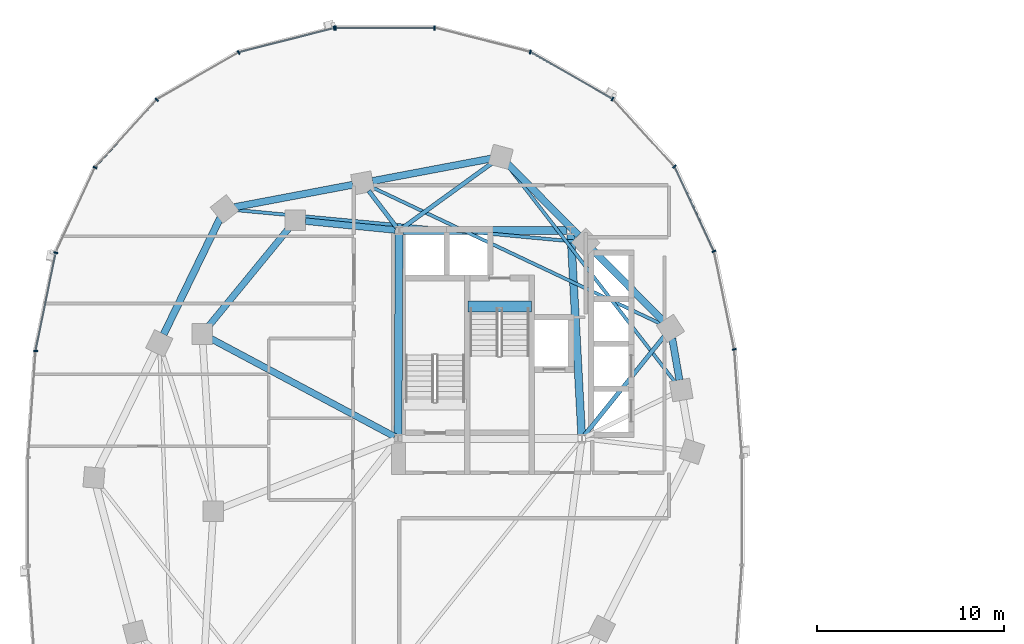
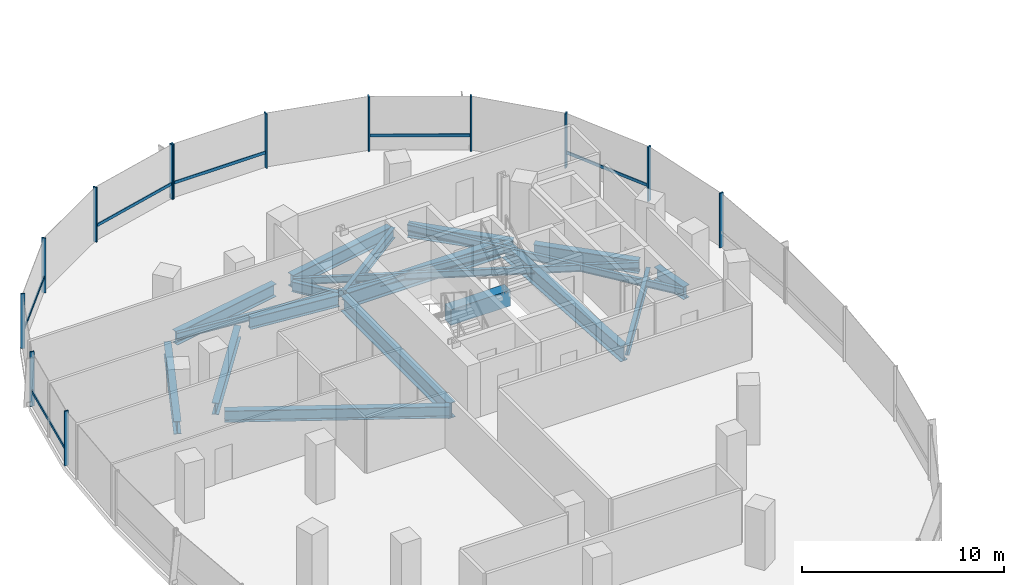
# One storey, part 4 of 21: 19 beams, 19 members, 2 elements without a shape of their own.
"""IFC4 building model written with IfcOpenShell, lengths in metres."""

from ifc_helpers import new_model, si_unit, direction, frame, origin, origin_2d, place, context, subcontext, project, spatial, rectangle, i_section, extrude, material, material_profile, profile_set, type_object, element, aggregate, save


model = new_model("IFC4")

# Units and contexts
model_context = context("Model", 3, precision=1e-05, world=origin(), true_north=direction((0.0, 1.0)))
body_context = subcontext(model_context, "Body", "Model", "MODEL_VIEW")
ifc_project = project(units=[si_unit("LENGTHUNIT", "METRE"), si_unit("AREAUNIT", "SQUARE_METRE"), si_unit("VOLUMEUNIT", "CUBIC_METRE"), si_unit("PLANEANGLEUNIT", "RADIAN"), si_unit("MASSUNIT", "GRAM", prefix="KILO"), si_unit("THERMODYNAMICTEMPERATUREUNIT", "KELVIN"), si_unit("POWERUNIT", "WATT")], contexts=[model_context])

# Site, building, storey
site_placement = place(None, origin())
site = spatial("IfcSite", under=ifc_project, at=site_placement, CompositionType="ELEMENT")
building_placement = place(site_placement, origin())
building = spatial("IfcBuilding", under=site, at=building_placement, Name="Cundina Bronze Exchange", CompositionType="ELEMENT")
storey_placement = place(building_placement, frame((0.0, 0.0, 85.39990234375)))
storey = spatial("IfcBuildingStorey", under=building, at=storey_placement, Name="L21", CompositionType="ELEMENT", Elevation=85.39990234375)

# Beams
ifc_material_1 = material(Name="Concrete C60/75", Category="concrete")
ifc_material_profile_1 = material_profile(ifc_material_1, rectangle(XDim=0.60009765625, YDim=0.949951171875, at=origin_2d()), Name="RC600X950", Category="concrete")
ifc_profile_set_1 = profile_set([ifc_material_profile_1], Name="Concrete C60/75")
beam_type_1 = type_object("IfcBeamType", Name="BM-COUP-RC950", PredefinedType="LINTEL", material=ifc_profile_set_1)
beam_1_placement = place(storey_placement, frame((-27.56005859375, 10.97998046875, -0.474853515625), z_axis=(1.0, 0.0, 0.0), x_axis=(0.0, 1.0, 0.0)))
element("IfcBeam", 1, at=beam_1_placement, inside=storey, type_object=beam_type_1, Name="L21 Stair W2 Landing Header Beam", PredefinedType="LINTEL", context=body_context, shape_type="SweptSolid", body=[
    extrude(rectangle(XDim=0.60009765625, YDim=0.949951171875, at=origin_2d()), origin(), (0.0, 0.0, 1.0), 3.400146484375),
])
ifc_material_2 = material(Name="Steel ASTM A992 Grade 50", Category="steel")
ifc_material_profile_2 = material_profile(ifc_material_2, i_section(OverallWidth=0.22998046875, OverallDepth=0.616943359375, WebThickness=0.01318359375, FlangeThickness=0.022216796875, FilletRadius=0.013916015625, at=origin_2d()), Name="W24X94", Category="steel")
ifc_profile_set_2 = profile_set([ifc_material_profile_2], Name="Steel ASTM A992 Grade 50")
beam_type_2 = type_object("IfcBeamType", Name="BM-FLR-W24B", PredefinedType="BEAM", material=ifc_profile_set_2)
beam_2_placement = place(storey_placement, frame((-21.322021484375, 4.058837890625, -0.6083984375), z_axis=(0.627106187843, 0.778933777139, 0.0), x_axis=(-0.778933777139, 0.627106187843, 0.0)))
element("IfcBeam", 2, at=beam_2_placement, inside=storey, type_object=beam_type_2, Name="L21 Leg W Radial Floor Beam 02", PredefinedType="BEAM", context=body_context, shape_type="SweptSolid", body=[
    extrude(i_section(OverallWidth=0.22998046875, OverallDepth=0.616943359375, WebThickness=0.01318359375, FlangeThickness=0.022216796875, FilletRadius=0.013916015625, at=origin_2d()), origin(), (0.0, 0.0, 1.0), 6.83251953125),
])
beam_3_placement = place(storey_placement, frame((-31.084716796875, 15.169677734375, -0.6083984375), z_axis=(0.809686957662, 0.586862020063, 0.0), x_axis=(-0.586862020063, 0.809686957662, 0.0)))
element("IfcBeam", 3, at=beam_3_placement, inside=storey, type_object=beam_type_2, Name="L21 Leg W Radial Floor Beam 04", PredefinedType="BEAM", context=body_context, shape_type="SweptSolid", body=[
    extrude(i_section(OverallWidth=0.22998046875, OverallDepth=0.616943359375, WebThickness=0.01318359375, FlangeThickness=0.022216796875, FilletRadius=0.013916015625, at=origin_2d()), origin(), (0.0, 0.0, 1.0), 5.98876953125),
])
beam_4_placement = place(storey_placement, frame((-31.373779296875, 15.2119140625, -0.6083984375), z_axis=(-0.607490490457, 0.79432695032, 0.0), x_axis=(-0.79432695032, -0.607490490457, 0.0)))
element("IfcBeam", 4, at=beam_4_placement, inside=storey, type_object=beam_type_2, Name="L21 Leg W Radial Floor Beam 05", PredefinedType="BEAM", context=body_context, shape_type="SweptSolid", body=[
    extrude(i_section(OverallWidth=0.22998046875, OverallDepth=0.616943359375, WebThickness=0.01318359375, FlangeThickness=0.022216796875, FilletRadius=0.013916015625, at=origin_2d()), origin(), (0.0, 0.0, 1.0), 2.46826171875),
])
ifc_material_profile_3 = material_profile(ifc_material_2, i_section(OverallWidth=0.178955078125, OverallDepth=0.409912109375, WebThickness=0.0087890625, FlangeThickness=0.014404296875, FilletRadius=0.010986328125, at=origin_2d()), Name="W16X45", Category="steel")
ifc_profile_set_3 = profile_set([ifc_material_profile_3], Name="Steel ASTM A992 Grade 50")
beam_type_3 = type_object("IfcBeamType", Name="BM-JST-W16", PredefinedType="JOIST", material=ifc_profile_set_3)
beam_5_placement = place(storey_placement, frame((-16.454345703125, 6.92529296875, -0.5048828125), z_axis=(-0.612065218806, 0.790807288742, 0.0), x_axis=(-0.790807288742, -0.612065218806, 0.0)))
element("IfcBeam", 5, at=beam_5_placement, inside=storey, type_object=beam_type_3, Name="L21 Leg W Lobe Floor Joist 01-04", PredefinedType="JOIST", context=body_context, shape_type="SweptSolid", body=[
    extrude(i_section(OverallWidth=0.178955078125, OverallDepth=0.409912109375, WebThickness=0.0087890625, FlangeThickness=0.014404296875, FilletRadius=0.010986328125, at=origin_2d()), origin(), (0.0, 0.0, 1.0), 14.73095703125),
])
beam_6_placement = place(storey_placement, frame((-17.186279296875, 10.02978515625, -0.5048828125), z_axis=(-0.904069270633, 0.427385954259, 0.0), x_axis=(-0.427385954259, -0.904069270633, 0.0)))
element("IfcBeam", 6, at=beam_6_placement, inside=storey, type_object=beam_type_3, Name="L21 Leg W Lobe Floor Joist 02-05", PredefinedType="JOIST", context=body_context, shape_type="SweptSolid", body=[
    extrude(i_section(OverallWidth=0.178955078125, OverallDepth=0.409912109375, WebThickness=0.0087890625, FlangeThickness=0.014404296875, FilletRadius=0.010986328125, at=origin_2d()), origin(), (0.0, 0.0, 1.0), 17.175048828125),
])
beam_7_placement = place(storey_placement, frame((-21.78564453125, 14.44970703125, -0.5048828125), z_axis=(-0.995700674022, 0.092629194921, 0.0), x_axis=(-0.092629194921, -0.995700674022, 0.0)))
element("IfcBeam", 7, at=beam_7_placement, inside=storey, type_object=beam_type_3, Name="L21 Leg W Lobe Floor Joist 03-06", PredefinedType="JOIST", context=body_context, shape_type="SweptSolid", body=[
    extrude(i_section(OverallWidth=0.178955078125, OverallDepth=0.409912109375, WebThickness=0.0087890625, FlangeThickness=0.014404296875, FilletRadius=0.010986328125, at=origin_2d()), origin(), (0.0, 0.0, 1.0), 18.357421875),
])
ifc_material_profile_4 = material_profile(ifc_material_2, i_section(OverallWidth=0.35498046875, OverallDepth=0.695068359375, WebThickness=0.015380859375, FlangeThickness=0.02490234375, FilletRadius=0.01806640625, at=origin_2d()), Name="W27X146", Category="steel")
ifc_profile_set_4 = profile_set([ifc_material_profile_4], Name="Steel ASTM A992 Grade 50")
beam_type_4 = type_object("IfcBeamType", Name="BM-RING-W27", PredefinedType="USERDEFINED", material=ifc_profile_set_4)
beam_8_placement = place(storey_placement, frame((-31.452880859375, 15.070068359375, -0.6474609375), z_axis=(-0.995126271817, 0.098608839051, 0.0), x_axis=(-0.098608839051, -0.995126271817, 0.0)))
element("IfcBeam", 8, at=beam_8_placement, inside=storey, type_object=beam_type_4, Name="L21 W Inner Structural Ring Girder 01", ObjectType="GIRDER", PredefinedType="USERDEFINED", context=body_context, shape_type="SweptSolid", body=[
    extrude(i_section(OverallWidth=0.35498046875, OverallDepth=0.695068359375, WebThickness=0.015380859375, FlangeThickness=0.02490234375, FilletRadius=0.01806640625, at=origin_2d()), origin(), (0.0, 0.0, 1.0), 4.83544921875),
])
beam_9_placement = place(storey_placement, frame((-37.14111328125, 15.183837890625, -0.6474609375), z_axis=(-0.633926549035, -0.773393257295, 0.0), x_axis=(0.773393257295, -0.633926549035, 0.0)))
element("IfcBeam", 9, at=beam_9_placement, inside=storey, type_object=beam_type_4, Name="L21 W Inner Structural Ring Girder 02", ObjectType="GIRDER", PredefinedType="USERDEFINED", context=body_context, shape_type="SweptSolid", body=[
    extrude(i_section(OverallWidth=0.35498046875, OverallDepth=0.695068359375, WebThickness=0.015380859375, FlangeThickness=0.02490234375, FilletRadius=0.01806640625, at=origin_2d()), origin(), (0.0, 0.0, 1.0), 6.811279296875),
])
beam_10_placement = place(storey_placement, frame((-31.47998046875, 3.99609375, -0.6474609375), z_axis=(-0.882354758239, 0.470584828286, 0.0), x_axis=(-0.470584828286, -0.882354758239, 0.0)))
element("IfcBeam", 10, at=beam_10_placement, inside=storey, type_object=beam_type_4, Name="L21 W Core-to-Waist Tie Beam 2", ObjectType="GIRDER", PredefinedType="USERDEFINED", context=body_context, shape_type="SweptSolid", body=[
    extrude(i_section(OverallWidth=0.35498046875, OverallDepth=0.695068359375, WebThickness=0.015380859375, FlangeThickness=0.02490234375, FilletRadius=0.01806640625, at=origin_2d()), origin(), (0.0, 0.0, 1.0), 11.157958984375),
])
ifc_material_profile_5 = material_profile(ifc_material_2, i_section(OverallWidth=0.381103515625, OverallDepth=0.77294921875, WebThickness=0.0166015625, FlangeThickness=0.027099609375, FilletRadius=0.01904296875, at=origin_2d()), Name="W30X173", Category="steel")
ifc_profile_set_5 = profile_set([ifc_material_profile_5], Name="Steel ASTM A992 Grade 50")
beam_type_5 = type_object("IfcBeamType", Name="BM-RING-W30", PredefinedType="USERDEFINED", material=ifc_profile_set_5)
beam_11_placement = place(storey_placement, frame((-16.21728515625, 7.030029296875, -0.6865234375), z_axis=(-0.171690078326, 0.985151012284, 0.0), x_axis=(-0.985151012284, -0.171690078326, 0.0)))
element("IfcBeam", 11, at=beam_11_placement, inside=storey, type_object=beam_type_5, Name="L21 W Perimeter Ring Girder 01", ObjectType="GIRDER", PredefinedType="USERDEFINED", context=body_context, shape_type="SweptSolid", body=[
    extrude(i_section(OverallWidth=0.381103515625, OverallDepth=0.77294921875, WebThickness=0.0166015625, FlangeThickness=0.027099609375, FilletRadius=0.01904296875, at=origin_2d()), origin(), (0.0, 0.0, 1.0), 2.273681640625),
])
for number, where, z_axis, x_axis, name in (
    (12, (-17.078369140625, 10.1826171875, -0.6865234375), (-0.703226342126, 0.7109660412, 0.0), (-0.7109660412, -0.703226342126, 0.0), "L21 W Perimeter Ring Girder 02"),
    (13, (-21.62841796875, 14.782470703125, -0.6865234375), (-0.703226342126, 0.7109660412, 0.0), (-0.7109660412, -0.703226342126, 0.0), "L21 W Perimeter Ring Girder 03"),
):
    element("IfcBeam", number, at=place(storey_placement, frame(where, z_axis=z_axis, x_axis=x_axis)), inside=storey, type_object=beam_type_5, Name=name, ObjectType="GIRDER", PredefinedType="USERDEFINED", context=body_context, shape_type="SweptSolid", body=[
        extrude(i_section(OverallWidth=0.381103515625, OverallDepth=0.77294921875, WebThickness=0.0166015625, FlangeThickness=0.027099609375, FilletRadius=0.01904296875, at=origin_2d()), origin(), (0.0, 0.0, 1.0), 5.39404296875),
    ])
for number, where, z_axis, x_axis, name in (
    (14, (-26.32861328125, 18.89990234375, -0.6865234375), (-0.98257117919, -0.185886733861, 0.0), (0.185886733861, -0.98257117919, 0.0), "L21 W Perimeter Ring Girder 04"),
    (15, (-33.728515625, 17.5, -0.6865234375), (-0.98257117919, -0.185886733861, 0.0), (0.185886733861, -0.98257117919, 0.0), "L21 W Perimeter Ring Girder 05"),
):
    element("IfcBeam", number, at=place(storey_placement, frame(where, z_axis=z_axis, x_axis=x_axis)), inside=storey, type_object=beam_type_5, Name=name, ObjectType="GIRDER", PredefinedType="USERDEFINED", context=body_context, shape_type="SweptSolid", body=[
        extrude(i_section(OverallWidth=0.381103515625, OverallDepth=0.77294921875, WebThickness=0.0166015625, FlangeThickness=0.027099609375, FilletRadius=0.01904296875, at=origin_2d()), origin(), (0.0, 0.0, 1.0), 6.455322265625),
    ])
beam_12_placement = place(storey_placement, frame((-40.835205078125, 15.716064453125, -0.6865234375), z_axis=(-0.437193894283, -0.899367276924, 0.0), x_axis=(0.899367276924, -0.437193894283, 0.0)))
element("IfcBeam", 16, at=beam_12_placement, inside=storey, type_object=beam_type_5, Name="L21 W Perimeter Ring Girder 06", ObjectType="GIRDER", PredefinedType="USERDEFINED", context=body_context, shape_type="SweptSolid", body=[
    extrude(i_section(OverallWidth=0.381103515625, OverallDepth=0.77294921875, WebThickness=0.0166015625, FlangeThickness=0.027099609375, FilletRadius=0.01904296875, at=origin_2d()), origin(), (0.0, 0.0, 1.0), 6.929443359375),
])
ifc_material_profile_6 = material_profile(ifc_material_2, i_section(OverallWidth=0.41796875, OverallDepth=0.927001953125, WebThickness=0.019287109375, FlangeThickness=0.031982421875, FilletRadius=0.02392578125, at=origin_2d()), Name="W36X231", Category="steel")
ifc_profile_set_6 = profile_set([ifc_material_profile_6], Name="Steel ASTM A992 Grade 50")
beam_type_6 = type_object("IfcBeamType", Name="BM-WRN-W36B", PredefinedType="USERDEFINED", material=ifc_profile_set_6)
beam_13_placement = place(storey_placement, frame((-21.4609375, 4.103759765625, -0.763427734375), z_axis=(-0.053739193498, 0.998555005537, 0.0), x_axis=(-0.998555005537, -0.053739193498, 0.0)))
element("IfcBeam", 17, at=beam_13_placement, inside=storey, type_object=beam_type_6, Name="L21 W Core Perimeter Tie Girder 2", ObjectType="GIRDER", PredefinedType="USERDEFINED", context=body_context, shape_type="SweptSolid", body=[
    extrude(i_section(OverallWidth=0.41796875, OverallDepth=0.927001953125, WebThickness=0.019287109375, FlangeThickness=0.031982421875, FilletRadius=0.02392578125, at=origin_2d()), origin(), (0.0, 0.0, 1.0), 10.758056640625),
])
beam_14_placement = place(storey_placement, frame((-22.25390625, 15.050048828125, -0.763427734375), z_axis=(-1.0, 0.0, 0.0), x_axis=(0.0, -1.0, 0.0)))
element("IfcBeam", 18, at=beam_14_placement, inside=storey, type_object=beam_type_6, Name="L21 W Core Perimeter Tie Girder 3", ObjectType="GIRDER", PredefinedType="USERDEFINED", context=body_context, shape_type="SweptSolid", body=[
    extrude(i_section(OverallWidth=0.41796875, OverallDepth=0.927001953125, WebThickness=0.019287109375, FlangeThickness=0.031982421875, FilletRadius=0.02392578125, at=origin_2d()), origin(), (0.0, 0.0, 1.0), 8.7919921875),
])
beam_15_placement = place(storey_placement, frame((-31.2509765625, 14.845947265625, -0.763427734375), z_axis=(-0.004477329608, -0.99998997671, 0.0), x_axis=(0.99998997671, -0.004477329608, 0.0)))
element("IfcBeam", 19, at=beam_15_placement, inside=storey, type_object=beam_type_6, Name="L21 W Core Perimeter Tie Girder 4", ObjectType="GIRDER", PredefinedType="USERDEFINED", context=body_context, shape_type="SweptSolid", body=[
    extrude(i_section(OverallWidth=0.41796875, OverallDepth=0.927001953125, WebThickness=0.019287109375, FlangeThickness=0.031982421875, FilletRadius=0.02392578125, at=origin_2d()), origin(), (0.0, 0.0, 1.0), 10.741943359375),
])

# Curtain wall, members
ifc_material_3 = material(Name="Anodised Bronze Aluminium 6063-T6", Category="aluminium")
curtain_wall_type = type_object("IfcCurtainWallType", Name="CWS-TRD-MID", PredefinedType="NOTDEFINED", material=ifc_material_3)
curtain_wall_1_placement = place(storey_placement, origin())
curtain_wall_1 = element("IfcCurtainWall", 20, at=curtain_wall_1_placement, inside=storey, type_object=curtain_wall_type, Name="L21 CW-03 Curtain Wall Run CWR-L21-W1", PredefinedType="NOTDEFINED")
ifc_material_profile_7 = material_profile(ifc_material_3, rectangle(XDim=0.074951171875, YDim=0.219970703125, at=origin_2d()), Name="AL75X220", Category="aluminium")
ifc_profile_set_7 = profile_set([ifc_material_profile_7], Name="Anodised Bronze Aluminium 6063-T6")
member_type_1 = type_object("IfcMemberType", Name="CWM-MUL-220", PredefinedType="MULLION", material=ifc_profile_set_7)
member_1_placement = place(storey_placement, frame((-13.282958984375, 8.67822265625, 0.0), z_axis=(0.0, 0.0, 1.0), x_axis=(-0.201419845156, 0.979505000486, 0.0)))
member_1 = element("IfcMember", 21, at=member_1_placement, type_object=member_type_1, Name="CW-03 Mullion 2", PredefinedType="MULLION", context=body_context, shape_type="SweptSolid", body=[
    extrude(rectangle(XDim=0.074951171875, YDim=0.219970703125, at=origin_2d()), origin(), (0.0, 0.0, 1.0), 3.300048828125),
])
member_2_placement = place(storey_placement, frame((-14.3720703125, 13.931884765625, 0.0), z_axis=(0.0, 0.0, 1.0), x_axis=(-0.42087749791, 0.907117485088, 0.0)))
member_2 = element("IfcMember", 22, at=member_2_placement, type_object=member_type_1, Name="CW-03 Mullion 3", PredefinedType="MULLION", context=body_context, shape_type="SweptSolid", body=[
    extrude(rectangle(XDim=0.074951171875, YDim=0.219970703125, at=origin_2d()), origin(), (0.0, 0.0, 1.0), 3.300048828125),
])
member_3_placement = place(storey_placement, frame((-16.491455078125, 18.47705078125, 0.0), z_axis=(0.0, 0.0, 1.0), x_axis=(-0.674302387584, 0.738455340626, 0.0)))
member_3 = element("IfcMember", 23, at=member_3_placement, type_object=member_type_1, Name="CW-03 Mullion 4", PredefinedType="MULLION", context=body_context, shape_type="SweptSolid", body=[
    extrude(rectangle(XDim=0.074951171875, YDim=0.219970703125, at=origin_2d()), origin(), (0.0, 0.0, 1.0), 3.300048828125),
])
member_4_placement = place(storey_placement, frame((-19.810302734375, 22.097412109375, 0.0), z_axis=(0.0, 0.0, 1.0), x_axis=(-0.867070701164, 0.498185105339, 0.0)))
member_4 = element("IfcMember", 24, at=member_4_placement, type_object=member_type_1, Name="CW-03 Mullion 5", PredefinedType="MULLION", context=body_context, shape_type="SweptSolid", body=[
    extrude(rectangle(XDim=0.074951171875, YDim=0.219970703125, at=origin_2d()), origin(), (0.0, 0.0, 1.0), 3.300048828125),
])
member_5_placement = place(storey_placement, frame((-24.21484375, 24.61669921875, 0.0), z_axis=(0.0, 0.0, 1.0), x_axis=(-0.969488149345, 0.245138182011, 0.0)))
member_5 = element("IfcMember", 25, at=member_5_placement, type_object=member_type_1, Name="CW-03 Mullion 6", PredefinedType="MULLION", context=body_context, shape_type="SweptSolid", body=[
    extrude(rectangle(XDim=0.074951171875, YDim=0.219970703125, at=origin_2d()), origin(), (0.0, 0.0, 1.0), 3.300048828125),
])
member_6_placement = place(storey_placement, frame((-29.345458984375, 25.905029296875, 0.0), z_axis=(0.0, 0.0, 1.0), x_axis=(-1.0, 0.0, 0.0)))
member_6 = element("IfcMember", 26, at=member_6_placement, type_object=member_type_1, Name="CW-03 Mullion 7", PredefinedType="MULLION", context=body_context, shape_type="SweptSolid", body=[
    extrude(rectangle(XDim=0.074951171875, YDim=0.219970703125, at=origin_2d()), origin(), (0.0, 0.0, 1.0), 3.300048828125),
])
member_7_placement = place(storey_placement, frame((-34.654541015625, 25.905029296875, 0.0), z_axis=(0.0, 0.0, 1.0), x_axis=(-1.0, 0.0, 0.0)))
member_7 = element("IfcMember", 27, at=member_7_placement, type_object=member_type_1, Name="CW-03 End Mullion", PredefinedType="MULLION", context=body_context, shape_type="SweptSolid", body=[
    extrude(rectangle(XDim=0.074951171875, YDim=0.219970703125, at=origin_2d()), origin(), (0.0, 0.0, 1.0), 3.300048828125),
])

curtain_wall_2_placement = place(storey_placement, origin())
curtain_wall_2 = element("IfcCurtainWall", 28, at=curtain_wall_2_placement, inside=storey, type_object=curtain_wall_type, Name="L21 CW-03 Curtain Wall Run CWR-L21-W2", PredefinedType="NOTDEFINED")
member_8_placement = place(storey_placement, frame((-34.72607421875, 25.89599609375, 0.0), z_axis=(0.0, 0.0, 1.0), x_axis=(-0.969488149345, -0.245138182011, 0.0)))
member_8 = element("IfcMember", 29, at=member_8_placement, type_object=member_type_1, Name="CW-03 Mullion 1", PredefinedType="MULLION", context=body_context, shape_type="SweptSolid", body=[
    extrude(rectangle(XDim=0.074951171875, YDim=0.219970703125, at=origin_2d()), origin(), (0.0, 0.0, 1.0), 3.300048828125),
])
member_9_placement = place(storey_placement, frame((-39.848876953125, 24.591064453125, 0.0), z_axis=(0.0, 0.0, 1.0), x_axis=(-0.867070701164, -0.498185105339, 0.0)))
member_9 = element("IfcMember", 30, at=member_9_placement, type_object=member_type_1, Name="CW-03 Mullion 2", PredefinedType="MULLION", context=body_context, shape_type="SweptSolid", body=[
    extrude(rectangle(XDim=0.074951171875, YDim=0.219970703125, at=origin_2d()), origin(), (0.0, 0.0, 1.0), 3.300048828125),
])
member_10_placement = place(storey_placement, frame((-44.239501953125, 22.0576171875, 0.0), z_axis=(0.0, 0.0, 1.0), x_axis=(-0.674302387584, -0.738455340626, 0.0)))
member_10 = element("IfcMember", 31, at=member_10_placement, type_object=member_type_1, Name="CW-03 Mullion 3", PredefinedType="MULLION", context=body_context, shape_type="SweptSolid", body=[
    extrude(rectangle(XDim=0.074951171875, YDim=0.219970703125, at=origin_2d()), origin(), (0.0, 0.0, 1.0), 3.300048828125),
])
member_11_placement = place(storey_placement, frame((-47.544189453125, 18.423583984375, 0.0), z_axis=(0.0, 0.0, 1.0), x_axis=(-0.42087749791, -0.907117485088, 0.0)))
member_11 = element("IfcMember", 32, at=member_11_placement, type_object=member_type_1, Name="CW-03 Mullion 4", PredefinedType="MULLION", context=body_context, shape_type="SweptSolid", body=[
    extrude(rectangle(XDim=0.074951171875, YDim=0.219970703125, at=origin_2d()), origin(), (0.0, 0.0, 1.0), 3.300048828125),
])
member_12_placement = place(storey_placement, frame((-49.651123046875, 13.861328125, 0.0), z_axis=(0.0, 0.0, 1.0), x_axis=(-0.201419845156, -0.979505000486, 0.0)))
member_12 = element("IfcMember", 33, at=member_12_placement, type_object=member_type_1, Name="CW-03 Mullion 5", PredefinedType="MULLION", context=body_context, shape_type="SweptSolid", body=[
    extrude(rectangle(XDim=0.074951171875, YDim=0.219970703125, at=origin_2d()), origin(), (0.0, 0.0, 1.0), 3.300048828125),
])
member_13_placement = place(storey_placement, frame((-50.72900390625, 8.591552734375, 0.0), z_axis=(0.0, 0.0, 1.0), x_axis=(-0.070278787473, -0.997527389113, 0.0)))
member_13 = element("IfcMember", 34, at=member_13_placement, type_object=member_type_1, Name="CW-03 Mullion 6", PredefinedType="MULLION", context=body_context, shape_type="SweptSolid", body=[
    extrude(rectangle(XDim=0.074951171875, YDim=0.219970703125, at=origin_2d()), origin(), (0.0, 0.0, 1.0), 3.300048828125),
])

# Member
ifc_material_profile_8 = material_profile(ifc_material_3, rectangle(XDim=0.070068359375, YDim=0.179931640625, at=origin_2d()), Name="AL70X180", Category="aluminium")
ifc_profile_set_8 = profile_set([ifc_material_profile_8], Name="Anodised Bronze Aluminium 6063-T6")
member_type_2 = type_object("IfcMemberType", Name="CWM-TRN-180", PredefinedType="USERDEFINED", material=ifc_profile_set_8)
member_14_placement = place(storey_placement, frame((-14.389404296875, 13.96923828125, 0.920166015625), z_axis=(-0.420811422796, 0.907148139195, 0.0), x_axis=(-0.907148139195, -0.420811422796, 0.0)))
member_14 = element("IfcMember", 35, at=member_14_placement, type_object=member_type_2, Name="CW-03 Spandrel Transom 3", ObjectType="TRANSOM", PredefinedType="USERDEFINED", context=body_context, shape_type="SweptSolid", body=[
    extrude(rectangle(XDim=0.070068359375, YDim=0.179931640625, at=origin_2d()), origin(), (0.0, 0.0, 1.0), 4.95166015625),
])

member_15_placement = place(storey_placement, frame((-19.845947265625, 22.117919921875, 0.920166015625), z_axis=(-0.867097475651, 0.498138502546, 0.0), x_axis=(-0.498138502546, -0.867097475651, 0.0)))
member_15 = element("IfcMember", 36, at=member_15_placement, type_object=member_type_2, Name="CW-03 Spandrel Transom 5", ObjectType="TRANSOM", PredefinedType="USERDEFINED", context=body_context, shape_type="SweptSolid", body=[
    extrude(rectangle(XDim=0.070068359375, YDim=0.179931640625, at=origin_2d()), origin(), (0.0, 0.0, 1.0), 5.00634765625),
])

member_16_placement = place(storey_placement, frame((-29.38671875, 25.905029296875, 0.920166015625), z_axis=(-1.0, 0.0, 0.0), x_axis=(0.0, -1.0, 0.0)))
member_16 = element("IfcMember", 37, at=member_16_placement, type_object=member_type_2, Name="CW-03 Spandrel Transom 7", ObjectType="TRANSOM", PredefinedType="USERDEFINED", context=body_context, shape_type="SweptSolid", body=[
    extrude(rectangle(XDim=0.070068359375, YDim=0.179931640625, at=origin_2d()), origin(), (0.0, 0.0, 1.0), 5.2265625),
])

aggregate(curtain_wall_1, [member_1, member_2, member_14, member_3, member_4, member_15, member_5, member_6, member_7, member_16])

member_17_placement = place(storey_placement, frame((-34.76611328125, 25.885986328125, 0.920166015625), z_axis=(-0.969483968866, -0.245154714644, 0.0), x_axis=(0.245154714644, -0.969483968866, 0.0)))
member_17 = element("IfcMember", 38, at=member_17_placement, type_object=member_type_2, Name="CW-03 Spandrel Transom 1", ObjectType="TRANSOM", PredefinedType="USERDEFINED", context=body_context, shape_type="SweptSolid", body=[
    extrude(rectangle(XDim=0.070068359375, YDim=0.179931640625, at=origin_2d()), origin(), (0.0, 0.0, 1.0), 5.21826171875),
])

member_18_placement = place(storey_placement, frame((-44.26708984375, 22.027099609375, 0.920166015625), z_axis=(-0.674302794847, -0.738454968743, 0.0), x_axis=(0.738454968743, -0.674302794847, 0.0)))
member_18 = element("IfcMember", 39, at=member_18_placement, type_object=member_type_2, Name="CW-03 Spandrel Transom 3", ObjectType="TRANSOM", PredefinedType="USERDEFINED", context=body_context, shape_type="SweptSolid", body=[
    extrude(rectangle(XDim=0.070068359375, YDim=0.179931640625, at=origin_2d()), origin(), (0.0, 0.0, 1.0), 4.848388671875),
])

member_19_placement = place(storey_placement, frame((-49.659423828125, 13.821044921875, 0.920166015625), z_axis=(-0.201427712708, -0.979503382615, 0.0), x_axis=(0.979503382615, -0.201427712708, 0.0)))
member_19 = element("IfcMember", 40, at=member_19_placement, type_object=member_type_2, Name="CW-03 Spandrel Transom 5", ObjectType="TRANSOM", PredefinedType="USERDEFINED", context=body_context, shape_type="SweptSolid", body=[
    extrude(rectangle(XDim=0.070068359375, YDim=0.179931640625, at=origin_2d()), origin(), (0.0, 0.0, 1.0), 5.291748046875),
])

aggregate(curtain_wall_2, [member_8, member_17, member_9, member_10, member_18, member_11, member_12, member_19, member_13])

save(model, "model.ifc")
